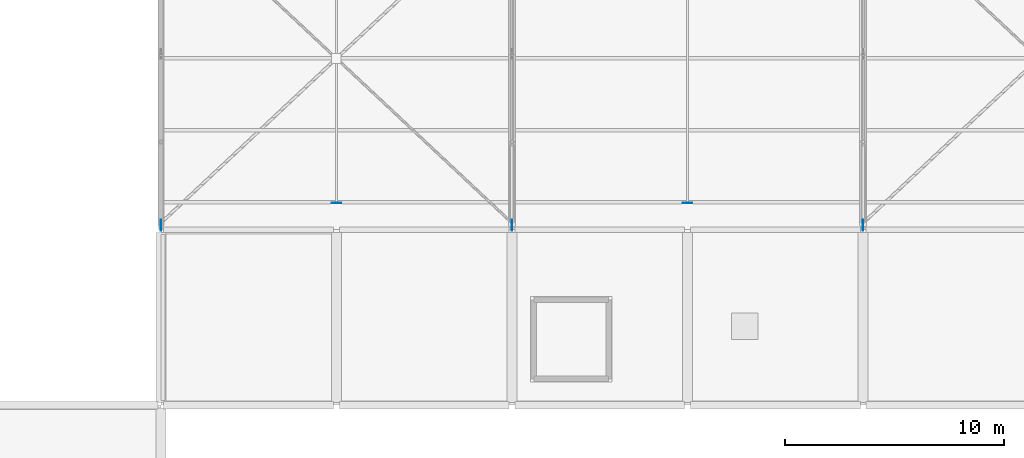
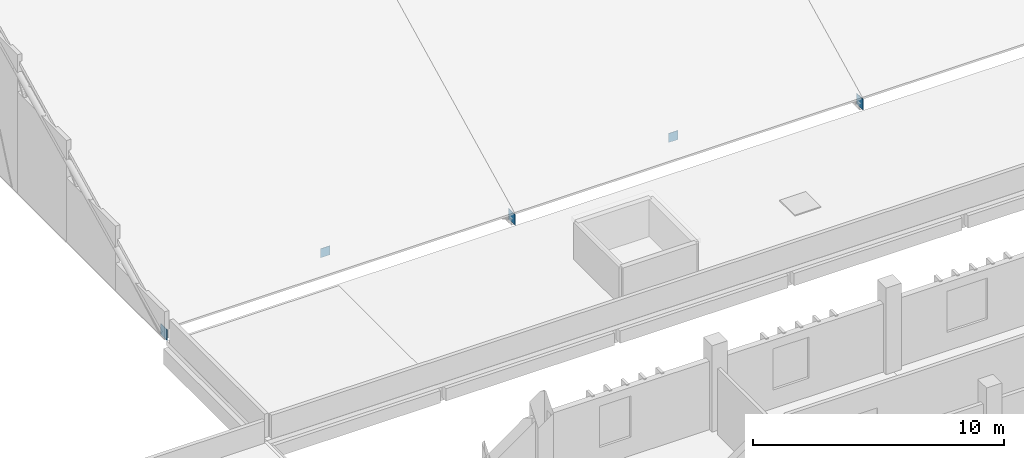
# One storey, part 100 of 137: 5 plates.
"""IFC4 building model written with IfcOpenShell, lengths in metres."""

from ifc_helpers import new_model, si_unit, direction, frame, origin, origin_2d, place, context, subcontext, project, spatial, rectangle, extrude, material, layer, layer_set, type_object, element, save


model = new_model("IFC4")

# Units and contexts
model_context = context("Model", 3, precision=1e-05, world=origin(), true_north=direction((0.0, 1.0)))
body_context = subcontext(model_context, "Body", "Model", "MODEL_VIEW")
ifc_project = project(units=[si_unit("LENGTHUNIT", "METRE"), si_unit("AREAUNIT", "SQUARE_METRE"), si_unit("VOLUMEUNIT", "CUBIC_METRE"), si_unit("PLANEANGLEUNIT", "RADIAN"), si_unit("MASSUNIT", "GRAM", prefix="KILO")], contexts=[model_context])

# Site, building, storey
site_placement = place(None, origin())
site = spatial("IfcSite", under=ifc_project, at=site_placement, CompositionType="ELEMENT")
building_placement = place(site_placement, origin())
building = spatial("IfcBuilding", under=site, at=building_placement, Name="Jelvoka-Kovrelna Polytechnic", CompositionType="ELEMENT")
storey_placement = place(building_placement, frame((0.0, 0.0, 9.60009765625)))
storey = spatial("IfcBuildingStorey", under=building, at=storey_placement, Name="L03", CompositionType="ELEMENT", Elevation=9.60009765625)

# Plates
ifc_material_1 = material(Name="Structural steel S355JR", Category="steel")
ifc_layer_1 = layer(ifc_material_1, 0.02392578125)
ifc_layer_set_1 = layer_set([ifc_layer_1], Name="Structural steel S355JR")
plate_type_1 = type_object("IfcPlateType", Name="Plate_Gusset_GP1", PredefinedType="SHEET", material=ifc_layer_set_1)
for number, where, z_axis, x_axis, name in (
    (1, (88.0, 88.199951171875, 0.056396484375), (0.0, 0.0, 1.0), (0.0, 1.0, 0.0), "Sawtooth truss 1 steel gusset node plate 001"),
    (2, (104.0, 88.199951171875, 0.056396484375), (0.0, 0.0, 1.0), (0.0, 1.0, 0.0), "Sawtooth truss 2 steel gusset node plate 007"),
    (3, (120.0, 88.199951171875, 0.056396484375), (0.0, 0.0, 1.0), (0.0, 1.0, 0.0), "Sawtooth truss 3 steel gusset node plate 013"),
):
    element("IfcPlate", number, at=place(storey_placement, frame(where, z_axis=z_axis, x_axis=x_axis)), inside=storey, type_object=plate_type_1, Name=name, PredefinedType="SHEET", context=body_context, shape_type="SweptSolid", body=[
        extrude(rectangle(XDim=0.52001953125, YDim=0.02392578125, at=origin_2d()), origin(), (0.0, 0.0, 1.0), 0.52001953125),
    ])
ifc_material_2 = material(Name="Structural steel S355JR", Category="steel")
ifc_layer_2 = layer(ifc_material_2, 0.02001953125)
ifc_layer_set_2 = layer_set([ifc_layer_2], Name="Structural steel S355JR")
plate_type_2 = type_object("IfcPlateType", Name="Plate_Gusset_GP3", PredefinedType="SHEET", material=ifc_layer_set_2)
for number, where, z_axis, x_axis, name in (
    (4, (96.0, 89.218017578125, 0.58642578125), (0.0, 0.0, 1.0), (1.0, 0.0, 0.0), "Sawtooth rafter 1.1 bot steel end cap plate 049"),
    (5, (112.0, 89.218017578125, 0.58642578125), (0.0, 0.0, 1.0), (1.0, 0.0, 0.0), "Sawtooth rafter 2.1 bot steel end cap plate 055"),
):
    element("IfcPlate", number, at=place(storey_placement, frame(where, z_axis=z_axis, x_axis=x_axis)), inside=storey, type_object=plate_type_2, Name=name, PredefinedType="SHEET", context=body_context, shape_type="SweptSolid", body=[
        extrude(rectangle(XDim=0.43994140625, YDim=0.02001953125, at=origin_2d()), origin(), (0.0, 0.0, 1.0), 0.43994140625),
    ])

save(model, "model.ifc")
